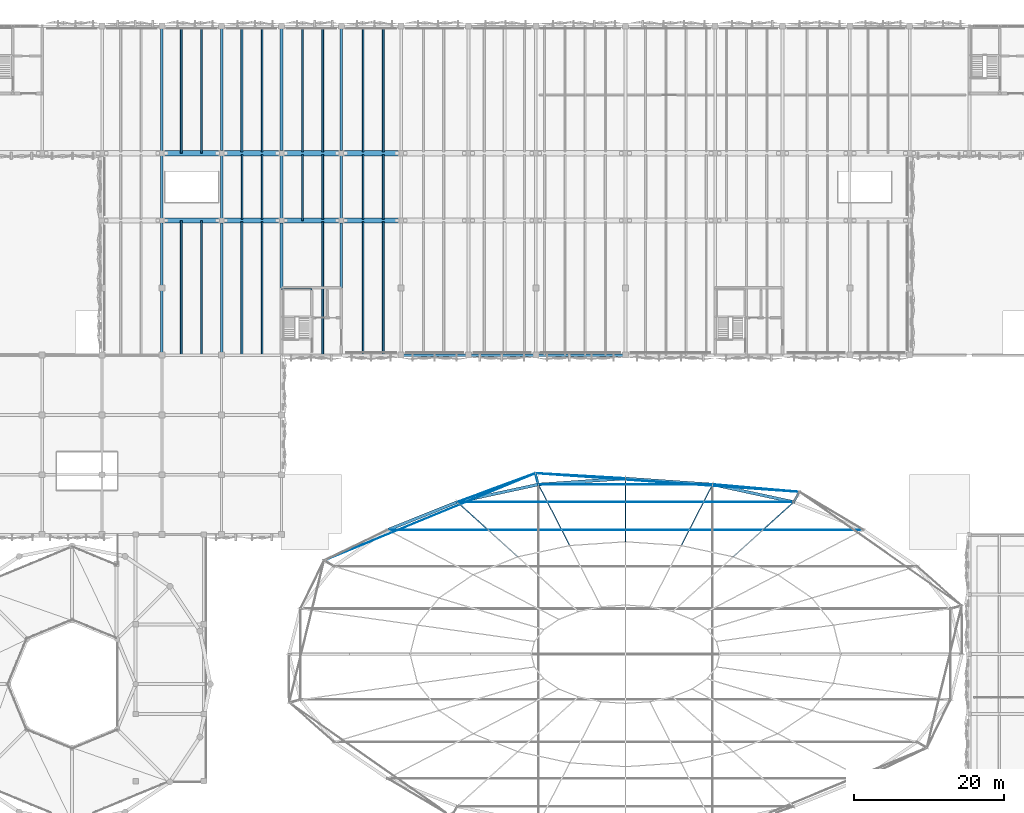
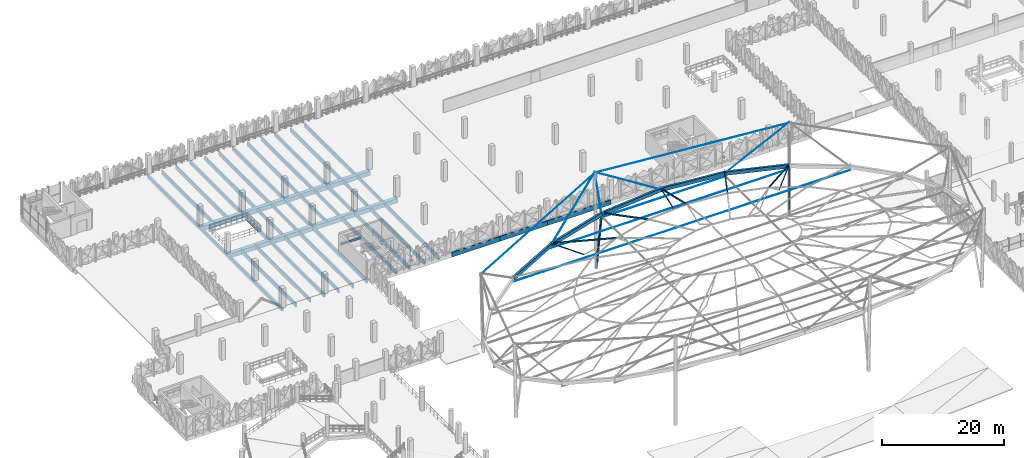
# One storey, part 16 of 96: 55 beams, 15 members.
"""IFC4 building model written with IfcOpenShell, lengths in metres."""

from ifc_helpers import new_model, si_unit, derived_unit, direction, frame, origin, origin_2d, place, context, subcontext, project, spatial, rectangle, hollow_rectangle, circle, i_section, extrude, material, material_profile, profile_set, type_object, element, save


model = new_model("IFC4")

# Units and contexts
model_context = context("Model", 3, precision=1e-05, world=origin(), true_north=direction((0.0, 1.0)))
body_context = subcontext(model_context, "Body", "Model", "MODEL_VIEW")
ifc_project = project(units=[si_unit("LENGTHUNIT", "METRE"), si_unit("AREAUNIT", "SQUARE_METRE"), si_unit("VOLUMEUNIT", "CUBIC_METRE"), si_unit("PLANEANGLEUNIT", "RADIAN"), si_unit("MASSUNIT", "GRAM", prefix="KILO"), si_unit("THERMODYNAMICTEMPERATUREUNIT", "KELVIN"), derived_unit("THERMALTRANSMITTANCEUNIT", [(si_unit("POWERUNIT", "WATT"), 1), (si_unit("AREAUNIT", "SQUARE_METRE"), -1), (si_unit("THERMODYNAMICTEMPERATUREUNIT", "KELVIN"), -1)])], contexts=[model_context])

# Site, building, storey
site_placement = place(None, origin())
site = spatial("IfcSite", under=ifc_project, at=site_placement, CompositionType="ELEMENT")
building_placement = place(site_placement, origin())
building = spatial("IfcBuilding", under=site, at=building_placement, Name="Haiyu Intermodal Mobility Hub", CompositionType="ELEMENT")
storey_placement = place(building_placement, frame((0.0, 0.0, 9.5)))
storey = spatial("IfcBuildingStorey", under=building, at=storey_placement, Name="L02", CompositionType="ELEMENT", Elevation=9.5)

# Beams
ifc_material_1 = material(Name="Concrete C40", Category="concrete")
ifc_material_profile_1 = material_profile(ifc_material_1, rectangle(XDim=0.35009765625, YDim=0.64990234375, at=origin_2d()), Name="RCB350x650")
ifc_profile_set_1 = profile_set([ifc_material_profile_1], Name="Concrete C40")
beam_type_1 = type_object("IfcBeamType", Name="BM-CB04", PredefinedType="BEAM", material=ifc_profile_set_1)
beam_1_placement = place(storey_placement, frame((46.0, 104.0, -0.60009765625), z_axis=(0.0, 1.0, 0.0), x_axis=(-1.0, 0.0, 0.0)))
element("IfcBeam", 1, at=beam_1_placement, inside=storey, type_object=beam_type_1, Name="BM-V4E-L02-006", PredefinedType="BEAM", context=body_context, shape_type="SweptSolid", body=[
    extrude(rectangle(XDim=0.35009765625, YDim=0.64990234375, at=origin_2d()), origin(), (0.0, 0.0, 1.0), 18.0),
])
beam_2_placement = place(storey_placement, frame((46.0, 122.0, -0.60009765625), z_axis=(0.0, 1.0, 0.0), x_axis=(-1.0, 0.0, 0.0)))
element("IfcBeam", 2, at=beam_2_placement, inside=storey, type_object=beam_type_1, Name="BM-V4E-L02-007", PredefinedType="BEAM", context=body_context, shape_type="SweptSolid", body=[
    extrude(rectangle(XDim=0.35009765625, YDim=0.64990234375, at=origin_2d()), origin(), (0.0, 0.0, 1.0), 9.0),
])
beam_3_placement = place(storey_placement, frame((46.0, 131.0, -0.60009765625), z_axis=(0.0, 1.0, 0.0), x_axis=(-1.0, 0.0, 0.0)))
element("IfcBeam", 3, at=beam_3_placement, inside=storey, type_object=beam_type_1, Name="BM-V4E-L02-008", PredefinedType="BEAM", context=body_context, shape_type="SweptSolid", body=[
    extrude(rectangle(XDim=0.35009765625, YDim=0.64990234375, at=origin_2d()), origin(), (0.0, 0.0, 1.0), 17.0),
])
beam_4_placement = place(storey_placement, frame((54.0, 104.0, -0.60009765625), z_axis=(0.0, 1.0, 0.0), x_axis=(-1.0, 0.0, 0.0)))
element("IfcBeam", 4, at=beam_4_placement, inside=storey, type_object=beam_type_1, Name="BM-V4E-L02-009", PredefinedType="BEAM", context=body_context, shape_type="SweptSolid", body=[
    extrude(rectangle(XDim=0.35009765625, YDim=0.64990234375, at=origin_2d()), origin(), (0.0, 0.0, 1.0), 18.0),
])
beam_5_placement = place(storey_placement, frame((54.0, 122.0, -0.60009765625), z_axis=(0.0, 1.0, 0.0), x_axis=(-1.0, 0.0, 0.0)))
element("IfcBeam", 5, at=beam_5_placement, inside=storey, type_object=beam_type_1, Name="BM-V4E-L02-010", PredefinedType="BEAM", context=body_context, shape_type="SweptSolid", body=[
    extrude(rectangle(XDim=0.35009765625, YDim=0.64990234375, at=origin_2d()), origin(), (0.0, 0.0, 1.0), 9.0),
])
beam_6_placement = place(storey_placement, frame((54.0, 131.0, -0.60009765625), z_axis=(0.0, 1.0, 0.0), x_axis=(-1.0, 0.0, 0.0)))
element("IfcBeam", 6, at=beam_6_placement, inside=storey, type_object=beam_type_1, Name="BM-V4E-L02-011", PredefinedType="BEAM", context=body_context, shape_type="SweptSolid", body=[
    extrude(rectangle(XDim=0.35009765625, YDim=0.64990234375, at=origin_2d()), origin(), (0.0, 0.0, 1.0), 17.0),
])
beam_7_placement = place(storey_placement, frame((62.0, 104.0, -0.60009765625), z_axis=(0.0, 1.0, 0.0), x_axis=(-1.0, 0.0, 0.0)))
element("IfcBeam", 7, at=beam_7_placement, inside=storey, type_object=beam_type_1, Name="BM-V4E-L02-012", PredefinedType="BEAM", context=body_context, shape_type="SweptSolid", body=[
    extrude(rectangle(XDim=0.35009765625, YDim=0.64990234375, at=origin_2d()), origin(), (0.0, 0.0, 1.0), 18.0),
])
beam_8_placement = place(storey_placement, frame((62.0, 122.0, -0.60009765625), z_axis=(0.0, 1.0, 0.0), x_axis=(-1.0, 0.0, 0.0)))
element("IfcBeam", 8, at=beam_8_placement, inside=storey, type_object=beam_type_1, Name="BM-V4E-L02-013", PredefinedType="BEAM", context=body_context, shape_type="SweptSolid", body=[
    extrude(rectangle(XDim=0.35009765625, YDim=0.64990234375, at=origin_2d()), origin(), (0.0, 0.0, 1.0), 9.0),
])
beam_9_placement = place(storey_placement, frame((62.0, 131.0, -0.60009765625), z_axis=(0.0, 1.0, 0.0), x_axis=(-1.0, 0.0, 0.0)))
element("IfcBeam", 9, at=beam_9_placement, inside=storey, type_object=beam_type_1, Name="BM-V4E-L02-014", PredefinedType="BEAM", context=body_context, shape_type="SweptSolid", body=[
    extrude(rectangle(XDim=0.35009765625, YDim=0.64990234375, at=origin_2d()), origin(), (0.0, 0.0, 1.0), 17.0),
])
beam_10_placement = place(storey_placement, frame((70.0, 104.0, -0.60009765625), z_axis=(0.0, 1.0, 0.0), x_axis=(-1.0, 0.0, 0.0)))
element("IfcBeam", 10, at=beam_10_placement, inside=storey, type_object=beam_type_1, Name="BM-V4E-L02-015", PredefinedType="BEAM", context=body_context, shape_type="SweptSolid", body=[
    extrude(rectangle(XDim=0.35009765625, YDim=0.64990234375, at=origin_2d()), origin(), (0.0, 0.0, 1.0), 18.0),
])
beam_11_placement = place(storey_placement, frame((70.0, 122.0, -0.60009765625), z_axis=(0.0, 1.0, 0.0), x_axis=(-1.0, 0.0, 0.0)))
element("IfcBeam", 11, at=beam_11_placement, inside=storey, type_object=beam_type_1, Name="BM-V4E-L02-016", PredefinedType="BEAM", context=body_context, shape_type="SweptSolid", body=[
    extrude(rectangle(XDim=0.35009765625, YDim=0.64990234375, at=origin_2d()), origin(), (0.0, 0.0, 1.0), 9.0),
])
beam_12_placement = place(storey_placement, frame((70.0, 131.0, -0.60009765625), z_axis=(0.0, 1.0, 0.0), x_axis=(-1.0, 0.0, 0.0)))
element("IfcBeam", 12, at=beam_12_placement, inside=storey, type_object=beam_type_1, Name="BM-V4E-L02-017", PredefinedType="BEAM", context=body_context, shape_type="SweptSolid", body=[
    extrude(rectangle(XDim=0.35009765625, YDim=0.64990234375, at=origin_2d()), origin(), (0.0, 0.0, 1.0), 17.0),
])
ifc_material_2 = material(Name="Precast concrete C50", Category="concrete")
ifc_material_profile_2 = material_profile(ifc_material_2, rectangle(XDim=0.239990234375, YDim=0.780029296875, at=origin_2d()), Name="PC240x780")
ifc_profile_set_2 = profile_set([ifc_material_profile_2], Name="Precast concrete C50")
beam_type_2 = type_object("IfcBeamType", Name="BM-DT01", PredefinedType="JOIST", material=ifc_profile_set_2)
beam_13_placement = place(storey_placement, frame((48.60009765625, 104.0, -0.6650390625), z_axis=(0.0, 1.0, 0.0), x_axis=(-1.0, 0.0, 0.0)))
element("IfcBeam", 13, at=beam_13_placement, inside=storey, type_object=beam_type_2, Name="BM-DT-L02-007", PredefinedType="JOIST", context=body_context, shape_type="SweptSolid", body=[
    extrude(rectangle(XDim=0.239990234375, YDim=0.780029296875, at=origin_2d()), origin(), (0.0, 0.0, 1.0), 18.0),
])
beam_14_placement = place(storey_placement, frame((48.60009765625, 131.0, -0.6650390625), z_axis=(0.0, 1.0, 0.0), x_axis=(-1.0, 0.0, 0.0)))
element("IfcBeam", 14, at=beam_14_placement, inside=storey, type_object=beam_type_2, Name="BM-DT-L02-008", PredefinedType="JOIST", context=body_context, shape_type="SweptSolid", body=[
    extrude(rectangle(XDim=0.239990234375, YDim=0.780029296875, at=origin_2d()), origin(), (0.0, 0.0, 1.0), 17.0),
])
beam_15_placement = place(storey_placement, frame((51.300048828125, 104.0, -0.6650390625), z_axis=(0.0, 1.0, 0.0), x_axis=(-1.0, 0.0, 0.0)))
element("IfcBeam", 15, at=beam_15_placement, inside=storey, type_object=beam_type_2, Name="BM-DT-L02-009", PredefinedType="JOIST", context=body_context, shape_type="SweptSolid", body=[
    extrude(rectangle(XDim=0.239990234375, YDim=0.780029296875, at=origin_2d()), origin(), (0.0, 0.0, 1.0), 18.0),
])
beam_16_placement = place(storey_placement, frame((51.300048828125, 131.0, -0.6650390625), z_axis=(0.0, 1.0, 0.0), x_axis=(-1.0, 0.0, 0.0)))
element("IfcBeam", 16, at=beam_16_placement, inside=storey, type_object=beam_type_2, Name="BM-DT-L02-010", PredefinedType="JOIST", context=body_context, shape_type="SweptSolid", body=[
    extrude(rectangle(XDim=0.239990234375, YDim=0.780029296875, at=origin_2d()), origin(), (0.0, 0.0, 1.0), 17.0),
])
beam_17_placement = place(storey_placement, frame((56.699951171875, 104.0, -0.6650390625), z_axis=(0.0, 1.0, 0.0), x_axis=(-1.0, 0.0, 0.0)))
element("IfcBeam", 17, at=beam_17_placement, inside=storey, type_object=beam_type_2, Name="BM-DT-L02-011", PredefinedType="JOIST", context=body_context, shape_type="SweptSolid", body=[
    extrude(rectangle(XDim=0.239990234375, YDim=0.780029296875, at=origin_2d()), origin(), (0.0, 0.0, 1.0), 17.804931640625),
])
beam_18_placement = place(storey_placement, frame((56.699951171875, 131.195068359375, -0.6650390625), z_axis=(0.0, 1.0, 0.0), x_axis=(-1.0, 0.0, 0.0)))
element("IfcBeam", 18, at=beam_18_placement, inside=storey, type_object=beam_type_2, Name="BM-DT-L02-013", PredefinedType="JOIST", context=body_context, shape_type="SweptSolid", body=[
    extrude(rectangle(XDim=0.239990234375, YDim=0.780029296875, at=origin_2d()), origin(), (0.0, 0.0, 1.0), 16.804931640625),
])
beam_19_placement = place(storey_placement, frame((59.39990234375, 104.0, -0.6650390625), z_axis=(0.0, 1.0, 0.0), x_axis=(-1.0, 0.0, 0.0)))
element("IfcBeam", 19, at=beam_19_placement, inside=storey, type_object=beam_type_2, Name="BM-DT-L02-014", PredefinedType="JOIST", context=body_context, shape_type="SweptSolid", body=[
    extrude(rectangle(XDim=0.239990234375, YDim=0.780029296875, at=origin_2d()), origin(), (0.0, 0.0, 1.0), 17.804931640625),
])
for number, where, z_axis, x_axis, name in (
    (20, (59.39990234375, 131.195068359375, -0.6650390625), (0.0, 1.0, 0.0), (-1.0, 0.0, 0.0), "BM-DT-L02-016"),
    (21, (64.800048828125, 131.195068359375, -0.6650390625), (0.0, 1.0, 0.0), (-1.0, 0.0, 0.0), "BM-DT-L02-019"),
):
    element("IfcBeam", number, at=place(storey_placement, frame(where, z_axis=z_axis, x_axis=x_axis)), inside=storey, type_object=beam_type_2, Name=name, PredefinedType="JOIST", context=body_context, shape_type="SweptSolid", body=[
        extrude(rectangle(XDim=0.239990234375, YDim=0.780029296875, at=origin_2d()), origin(), (0.0, 0.0, 1.0), 16.804931640625),
    ])
beam_20_placement = place(storey_placement, frame((67.5, 104.0, -0.6650390625), z_axis=(0.0, 1.0, 0.0), x_axis=(-1.0, 0.0, 0.0)))
element("IfcBeam", 22, at=beam_20_placement, inside=storey, type_object=beam_type_2, Name="BM-DT-L02-020", PredefinedType="JOIST", context=body_context, shape_type="SweptSolid", body=[
    extrude(rectangle(XDim=0.239990234375, YDim=0.780029296875, at=origin_2d()), origin(), (0.0, 0.0, 1.0), 17.804931640625),
])
beam_21_placement = place(storey_placement, frame((67.5, 131.195068359375, -0.6650390625), z_axis=(0.0, 1.0, 0.0), x_axis=(-1.0, 0.0, 0.0)))
element("IfcBeam", 23, at=beam_21_placement, inside=storey, type_object=beam_type_2, Name="BM-DT-L02-022", PredefinedType="JOIST", context=body_context, shape_type="SweptSolid", body=[
    extrude(rectangle(XDim=0.239990234375, YDim=0.780029296875, at=origin_2d()), origin(), (0.0, 0.0, 1.0), 16.804931640625),
])
beam_22_placement = place(storey_placement, frame((72.89990234375, 104.0, -0.6650390625), z_axis=(0.0, 1.0, 0.0), x_axis=(-1.0, 0.0, 0.0)))
element("IfcBeam", 24, at=beam_22_placement, inside=storey, type_object=beam_type_2, Name="BM-DT-L02-023", PredefinedType="JOIST", context=body_context, shape_type="SweptSolid", body=[
    extrude(rectangle(XDim=0.239990234375, YDim=0.780029296875, at=origin_2d()), origin(), (0.0, 0.0, 1.0), 17.804931640625),
])
beam_23_placement = place(storey_placement, frame((72.89990234375, 131.195068359375, -0.6650390625), z_axis=(0.0, 1.0, 0.0), x_axis=(-1.0, 0.0, 0.0)))
element("IfcBeam", 25, at=beam_23_placement, inside=storey, type_object=beam_type_2, Name="BM-DT-L02-025", PredefinedType="JOIST", context=body_context, shape_type="SweptSolid", body=[
    extrude(rectangle(XDim=0.239990234375, YDim=0.780029296875, at=origin_2d()), origin(), (0.0, 0.0, 1.0), 16.804931640625),
])
beam_24_placement = place(storey_placement, frame((75.60009765625, 104.0, -0.6650390625), z_axis=(0.0, 1.0, 0.0), x_axis=(-1.0, 0.0, 0.0)))
element("IfcBeam", 26, at=beam_24_placement, inside=storey, type_object=beam_type_2, Name="BM-DT-L02-026", PredefinedType="JOIST", context=body_context, shape_type="SweptSolid", body=[
    extrude(rectangle(XDim=0.239990234375, YDim=0.780029296875, at=origin_2d()), origin(), (0.0, 0.0, 1.0), 17.804931640625),
])
beam_25_placement = place(storey_placement, frame((75.60009765625, 131.195068359375, -0.6650390625), z_axis=(0.0, 1.0, 0.0), x_axis=(-1.0, 0.0, 0.0)))
element("IfcBeam", 27, at=beam_25_placement, inside=storey, type_object=beam_type_2, Name="BM-DT-L02-028", PredefinedType="JOIST", context=body_context, shape_type="SweptSolid", body=[
    extrude(rectangle(XDim=0.239990234375, YDim=0.780029296875, at=origin_2d()), origin(), (0.0, 0.0, 1.0), 16.804931640625),
])
ifc_material_profile_3 = material_profile(ifc_material_2, rectangle(XDim=0.22998046875, YDim=0.68994140625, at=origin_2d()), Name="B230x690")
ifc_profile_set_3 = profile_set([ifc_material_profile_3], Name="Precast concrete C50")
beam_type_3 = type_object("IfcBeamType", Name="BM-DT06", PredefinedType="JOIST", material=ifc_profile_set_3)
for number, where, z_axis, x_axis, name in (
    (28, (56.699951171875, 122.195068359375, -0.6201171875), (0.0, 1.0, 0.0), (-1.0, 0.0, 0.0), "BM-DT-L02-012"),
    (29, (59.39990234375, 122.195068359375, -0.6201171875), (0.0, 1.0, 0.0), (-1.0, 0.0, 0.0), "BM-DT-L02-015"),
):
    element("IfcBeam", number, at=place(storey_placement, frame(where, z_axis=z_axis, x_axis=x_axis)), inside=storey, type_object=beam_type_3, Name=name, PredefinedType="JOIST", context=body_context, shape_type="SweptSolid", body=[
        extrude(rectangle(XDim=0.22998046875, YDim=0.68994140625, at=origin_2d()), origin(), (0.0, 0.0, 1.0), 8.60986328125),
    ])
beam_26_placement = place(storey_placement, frame((64.800048828125, 122.0, -0.6201171875), z_axis=(0.0, 1.0, 0.0), x_axis=(-1.0, 0.0, 0.0)))
element("IfcBeam", 30, at=beam_26_placement, inside=storey, type_object=beam_type_3, Name="BM-DT-L02-018", PredefinedType="JOIST", context=body_context, shape_type="SweptSolid", body=[
    extrude(rectangle(XDim=0.22998046875, YDim=0.68994140625, at=origin_2d()), origin(), (0.0, 0.0, 1.0), 8.804931640625),
])
for number, where, z_axis, x_axis, name in (
    (31, (67.5, 122.195068359375, -0.6201171875), (0.0, 1.0, 0.0), (-1.0, 0.0, 0.0), "BM-DT-L02-021"),
    (32, (72.89990234375, 122.195068359375, -0.6201171875), (0.0, 1.0, 0.0), (-1.0, 0.0, 0.0), "BM-DT-L02-024"),
    (33, (75.60009765625, 122.195068359375, -0.6201171875), (0.0, 1.0, 0.0), (-1.0, 0.0, 0.0), "BM-DT-L02-027"),
):
    element("IfcBeam", number, at=place(storey_placement, frame(where, z_axis=z_axis, x_axis=x_axis)), inside=storey, type_object=beam_type_3, Name=name, PredefinedType="JOIST", context=body_context, shape_type="SweptSolid", body=[
        extrude(rectangle(XDim=0.22998046875, YDim=0.68994140625, at=origin_2d()), origin(), (0.0, 0.0, 1.0), 8.60986328125),
    ])
ifc_material_profile_4 = material_profile(ifc_material_2, rectangle(XDim=0.719970703125, YDim=0.8798828125, at=origin_2d()), Name="B720x880")
ifc_profile_set_4 = profile_set([ifc_material_profile_4], Name="Precast concrete C50")
beam_type_4 = type_object("IfcBeamType", Name="BM-IT04", PredefinedType="T_BEAM", material=ifc_profile_set_4)
for number, where, z_axis, x_axis, name in (
    (34, (46.0, 122.0, -0.715087890625), (1.0, 0.0, 0.0), (0.0, 1.0, 0.0), "BM-V4G-L02-014"),
    (35, (54.0, 122.0, -0.715087890625), (1.0, 0.0, 0.0), (0.0, 1.0, 0.0), "BM-V4G-L02-015"),
    (36, (62.0, 122.0, -0.715087890625), (1.0, 0.0, 0.0), (0.0, 1.0, 0.0), "BM-V4G-L02-016"),
    (37, (70.0, 122.0, -0.715087890625), (1.0, 0.0, 0.0), (0.0, 1.0, 0.0), "BM-V4G-L02-017"),
    (38, (46.0, 131.0, -0.715087890625), (1.0, 0.0, 0.0), (0.0, 1.0, 0.0), "BM-V4G-L02-028"),
    (39, (54.0, 131.0, -0.715087890625), (1.0, 0.0, 0.0), (0.0, 1.0, 0.0), "BM-V4G-L02-029"),
    (40, (62.0, 131.0, -0.715087890625), (1.0, 0.0, 0.0), (0.0, 1.0, 0.0), "BM-V4G-L02-030"),
    (41, (70.0, 131.0, -0.715087890625), (1.0, 0.0, 0.0), (0.0, 1.0, 0.0), "BM-V4G-L02-031"),
):
    element("IfcBeam", number, at=place(storey_placement, frame(where, z_axis=z_axis, x_axis=x_axis)), inside=storey, type_object=beam_type_4, Name=name, PredefinedType="T_BEAM", context=body_context, shape_type="SweptSolid", body=[
        extrude(rectangle(XDim=0.719970703125, YDim=0.8798828125, at=origin_2d()), origin(), (0.0, 0.0, 1.0), 8.0),
    ])
ifc_material_3 = material(Name="Steel Q355C", Category="steel")
ifc_material_profile_5 = material_profile(ifc_material_3, hollow_rectangle(XDim=0.39990234375, YDim=0.699951171875, WallThickness=0.02197265625, at=origin_2d()), Name="RHS700x400x22")
ifc_profile_set_5 = profile_set([ifc_material_profile_5], Name="Steel Q355C")
beam_type_5 = type_object("IfcBeamType", Name="BM-SB01", PredefinedType="BEAM", material=ifc_profile_set_5)
beam_27_placement = place(storey_placement, frame((130.5, 84.35205078125, 10.5), z_axis=(-0.974367369178, 0.210703053042, 0.07881911773), x_axis=(-0.211360609854, -0.977408150468, 0.0)))
element("IfcBeam", 42, at=beam_27_placement, inside=storey, type_object=beam_type_5, Name="Compression Ring Chord RB-05", PredefinedType="BEAM", context=body_context, shape_type="SweptSolid", body=[
    extrude(hollow_rectangle(XDim=0.39990234375, YDim=0.699951171875, WallThickness=0.02197265625, at=origin_2d()), origin(), (0.0, 0.0, 1.0), 11.138427734375),
])
for number, where, z_axis, x_axis, name in (
    (43, (119.64697265625, 86.698974609375, 11.3779296875), (-0.997264020391, 0.068587247954, 0.027572868044), (-0.068613335005, -0.997643328179, 0.0), "Compression Ring Chord RB-06"),
    (44, (108.0, 87.5, 11.699951171875), (-0.997264020391, -0.068587247954, -0.027572868044), (0.068613335005, -0.997643328179, 0.0), "Compression Ring Chord RB-07"),
):
    element("IfcBeam", number, at=place(storey_placement, frame(where, z_axis=z_axis, x_axis=x_axis)), inside=storey, type_object=beam_type_5, Name=name, PredefinedType="BEAM", context=body_context, shape_type="SweptSolid", body=[
        extrude(hollow_rectangle(XDim=0.39990234375, YDim=0.699951171875, WallThickness=0.02197265625, at=origin_2d()), origin(), (0.0, 0.0, 1.0), 11.678955078125),
    ])
beam_28_placement = place(storey_placement, frame((96.35302734375, 86.698974609375, 11.3779296875), z_axis=(-0.974367369178, -0.210703053042, -0.07881911773), x_axis=(0.211360609854, -0.977408150468, 0.0)))
element("IfcBeam", 45, at=beam_28_placement, inside=storey, type_object=beam_type_5, Name="Compression Ring Chord RB-08", PredefinedType="BEAM", context=body_context, shape_type="SweptSolid", body=[
    extrude(hollow_rectangle(XDim=0.39990234375, YDim=0.699951171875, WallThickness=0.02197265625, at=origin_2d()), origin(), (0.0, 0.0, 1.0), 11.138427734375),
])
beam_29_placement = place(storey_placement, frame((85.5, 84.35205078125, 10.5), z_axis=(-0.921674779261, -0.369370070672, -0.118664873348), x_axis=(0.371998477137, -0.928233339742, 0.0)))
element("IfcBeam", 46, at=beam_29_placement, inside=storey, type_object=beam_type_5, Name="Compression Ring Chord RB-09", PredefinedType="BEAM", context=body_context, shape_type="SweptSolid", body=[
    extrude(hollow_rectangle(XDim=0.39990234375, YDim=0.699951171875, WallThickness=0.02197265625, at=origin_2d()), origin(), (0.0, 0.0, 1.0), 10.112060546875),
])
ifc_material_profile_6 = material_profile(ifc_material_3, i_section(OverallWidth=0.199951171875, OverallDepth=0.39990234375, WebThickness=0.008056640625, FlangeThickness=0.012939453125, FilletRadius=0.01611328125, at=origin_2d()), Name="HN400x200x8x13")
ifc_profile_set_6 = profile_set([ifc_material_profile_6], Name="Steel Q355C")
beam_type_6 = type_object("IfcBeamType", Name="BM-SB08", PredefinedType="JOIST", material=ifc_profile_set_6)
beam_30_placement = place(storey_placement, frame((62.0, 112.780029296875, 1.52490234375), z_axis=(1.0, 0.0, 0.0), x_axis=(0.0, 1.0, 0.0)))
element("IfcBeam", 47, at=beam_30_placement, inside=storey, type_object=beam_type_6, Name="Stair Half-Landing Rear Beam C5-L02", PredefinedType="JOIST", context=body_context, shape_type="SweptSolid", body=[
    extrude(i_section(OverallWidth=0.199951171875, OverallDepth=0.39990234375, WebThickness=0.008056640625, FlangeThickness=0.012939453125, FilletRadius=0.01611328125, at=origin_2d()), origin(), (0.0, 0.0, 1.0), 4.050048828125),
])
ifc_material_profile_7 = material_profile(ifc_material_3, i_section(OverallWidth=0.14990234375, OverallDepth=0.300048828125, WebThickness=0.006591796875, FlangeThickness=0.009033203125, FilletRadius=0.012939453125, at=origin_2d()), Name="HN300x150x6.5x9")
ifc_profile_set_7 = profile_set([ifc_material_profile_7], Name="Steel Q355C")
beam_type_7 = type_object("IfcBeamType", Name="BM-SB10-INT", PredefinedType="JOIST", material=ifc_profile_set_7)
beam_31_placement = place(storey_placement, frame((130.5, 84.35205078125, 10.738037109375), z_axis=(-0.720148182676, -0.651428273509, 0.238804940195), x_axis=(0.67083723343, -0.741604615846, 0.0)))
element("IfcBeam", 48, at=beam_31_placement, inside=storey, type_object=beam_type_7, Name="BM-SADRAD-057", PredefinedType="JOIST", context=body_context, shape_type="SweptSolid", body=[
    extrude(i_section(OverallWidth=0.14990234375, OverallDepth=0.300048828125, WebThickness=0.006591796875, FlangeThickness=0.009033203125, FilletRadius=0.012939453125, at=origin_2d()), origin(), (0.0, 0.0, 1.0), 11.247802734375),
])
beam_32_placement = place(storey_placement, frame((119.64697265625, 86.698974609375, 11.616943359375), z_axis=(-0.44434459281, -0.865920858983, 0.229649621858), x_axis=(0.889699529846, -0.45654654373, 0.0)))
element("IfcBeam", 49, at=beam_32_placement, inside=storey, type_object=beam_type_7, Name="BM-SADRAD-059", PredefinedType="JOIST", context=body_context, shape_type="SweptSolid", body=[
    extrude(i_section(OverallWidth=0.14990234375, OverallDepth=0.300048828125, WebThickness=0.006591796875, FlangeThickness=0.009033203125, FilletRadius=0.012939453125, at=origin_2d()), origin(), (0.0, 0.0, 1.0), 9.43603515625),
])
beam_33_placement = place(storey_placement, frame((108.0, 87.5, 11.93798828125), z_axis=(0.0, -0.973738301939, 0.227670198612), x_axis=(1.0, 0.0, 0.0)))
element("IfcBeam", 50, at=beam_33_placement, inside=storey, type_object=beam_type_7, Name="BM-SADRAD-061", PredefinedType="JOIST", context=body_context, shape_type="SweptSolid", body=[
    extrude(i_section(OverallWidth=0.14990234375, OverallDepth=0.300048828125, WebThickness=0.006591796875, FlangeThickness=0.009033203125, FilletRadius=0.012939453125, at=origin_2d()), origin(), (0.0, 0.0, 1.0), 8.688232421875),
])
beam_34_placement = place(storey_placement, frame((96.35302734375, 86.698974609375, 11.616943359375), z_axis=(0.44434459281, -0.865920858983, 0.229649621858), x_axis=(0.889699529846, 0.45654654373, 0.0)))
element("IfcBeam", 51, at=beam_34_placement, inside=storey, type_object=beam_type_7, Name="BM-SADRAD-063", PredefinedType="JOIST", context=body_context, shape_type="SweptSolid", body=[
    extrude(i_section(OverallWidth=0.14990234375, OverallDepth=0.300048828125, WebThickness=0.006591796875, FlangeThickness=0.009033203125, FilletRadius=0.012939453125, at=origin_2d()), origin(), (0.0, 0.0, 1.0), 9.43603515625),
])
beam_35_placement = place(storey_placement, frame((85.5, 84.35205078125, 10.738037109375), z_axis=(0.720148182676, -0.651428273509, 0.238804940195), x_axis=(0.67083723343, 0.741604615846, 0.0)))
element("IfcBeam", 52, at=beam_35_placement, inside=storey, type_object=beam_type_7, Name="BM-SADRAD-065", PredefinedType="JOIST", context=body_context, shape_type="SweptSolid", body=[
    extrude(i_section(OverallWidth=0.14990234375, OverallDepth=0.300048828125, WebThickness=0.006591796875, FlangeThickness=0.009033203125, FilletRadius=0.012939453125, at=origin_2d()), origin(), (0.0, 0.0, 1.0), 11.247802734375),
])
ifc_material_4 = material(Name="Precast concrete C40", Category="concrete")
ifc_material_profile_8 = material_profile(ifc_material_4, rectangle(XDim=0.35009765625, YDim=0.949951171875, at=origin_2d()), Name="PC350x950")
ifc_profile_set_8 = profile_set([ifc_material_profile_8], Name="Precast concrete C40")
beam_type_8 = type_object("IfcBeamType", Name="BM-SP01", PredefinedType="SPANDREL", material=ifc_profile_set_8)
for number, where, z_axis, x_axis, name in (
    (53, (78.0, 104.0, -0.75), (1.0, 0.0, 0.0), (0.0, 1.0, 0.0), "BM-V4G-L02-006"),
    (54, (87.0, 104.0, -0.75), (1.0, 0.0, 0.0), (0.0, 1.0, 0.0), "BM-V4G-L02-007"),
):
    element("IfcBeam", number, at=place(storey_placement, frame(where, z_axis=z_axis, x_axis=x_axis)), inside=storey, type_object=beam_type_8, Name=name, PredefinedType="SPANDREL", context=body_context, shape_type="SweptSolid", body=[
        extrude(rectangle(XDim=0.35009765625, YDim=0.949951171875, at=origin_2d()), origin(), (0.0, 0.0, 1.0), 9.0),
    ])
beam_36_placement = place(storey_placement, frame((96.0, 104.0, -0.75), z_axis=(1.0, 0.0, 0.0), x_axis=(0.0, 1.0, 0.0)))
element("IfcBeam", 55, at=beam_36_placement, inside=storey, type_object=beam_type_8, Name="BM-V4G-L02-008", PredefinedType="SPANDREL", context=body_context, shape_type="SweptSolid", body=[
    extrude(rectangle(XDim=0.35009765625, YDim=0.949951171875, at=origin_2d()), origin(), (0.0, 0.0, 1.0), 12.0),
])

# Members
ifc_material_profile_9 = material_profile(ifc_material_3, hollow_rectangle(XDim=0.300048828125, YDim=0.300048828125, WallThickness=0.011962890625, at=origin_2d()), Name="SHS300x300x12")
ifc_profile_set_9 = profile_set([ifc_material_profile_9], Name="Steel Q355C")
member_type_1 = type_object("IfcMemberType", Name="MEM-BR04", PredefinedType="BRACE", material=ifc_profile_set_9)
member_1_placement = place(storey_placement, frame((131.10009765625, 85.39111328125, 0.0), z_axis=(-0.05678259498, -0.098318439477, 0.993533704192), x_axis=(0.865955154139, -0.50012165622, 0.0)))
element("IfcMember", 56, at=member_1_placement, inside=storey, type_object=member_type_1, Name="Mast Ring Strut MS-02", PredefinedType="BRACE", context=body_context, shape_type="SweptSolid", body=[
    extrude(hollow_rectangle(XDim=0.300048828125, YDim=0.300048828125, WallThickness=0.011962890625, at=origin_2d()), origin(), (0.0, 0.0, 1.0), 10.568359375),
])
member_2_placement = place(storey_placement, frame((96.04296875, 87.85791015625, 0.0), z_axis=(0.027100647651, -0.101296672754, 0.994487073313), x_axis=(0.966025207369, 0.258447864622, 0.0)))
element("IfcMember", 57, at=member_2_placement, inside=storey, type_object=member_type_1, Name="Mast Ring Strut MS-03", PredefinedType="BRACE", context=body_context, shape_type="SweptSolid", body=[
    extrude(hollow_rectangle(XDim=0.300048828125, YDim=0.300048828125, WallThickness=0.011962890625, at=origin_2d()), origin(), (0.0, 0.0, 1.0), 11.44091796875),
])
ifc_material_profile_10 = material_profile(ifc_material_3, hollow_rectangle(XDim=0.159912109375, YDim=0.159912109375, WallThickness=0.006103515625, at=origin_2d()), Name="SHS160x160x6")
ifc_profile_set_10 = profile_set([ifc_material_profile_10], Name="Steel Q355C")
member_type_2 = type_object("IfcMemberType", Name="MEM-CH03", PredefinedType="CHORD", material=ifc_profile_set_10)
member_3_placement = place(storey_placement, frame((130.5, 84.35205078125, 10.738037109375), z_axis=(-0.716731786771, -0.648424296574, -0.256595941988), x_axis=(0.670886402047, -0.741560136165, 0.0)))
element("IfcMember", 58, at=member_3_placement, inside=storey, type_object=member_type_2, Name="MEM-SADD1-057", PredefinedType="CHORD", context=body_context, shape_type="SweptSolid", body=[
    extrude(hollow_rectangle(XDim=0.159912109375, YDim=0.159912109375, WallThickness=0.006103515625, at=origin_2d()), origin(), (0.0, 0.0, 1.0), 5.650634765625),
])
member_4_placement = place(storey_placement, frame((108.0, 87.5, 11.93798828125), z_axis=(0.0, -0.945968437013, -0.324258717963), x_axis=(1.0, 0.0, 0.0)))
element("IfcMember", 59, at=member_4_placement, inside=storey, type_object=member_type_2, Name="MEM-SADD1-061", PredefinedType="CHORD", context=body_context, shape_type="SweptSolid", body=[
    extrude(hollow_rectangle(XDim=0.159912109375, YDim=0.159912109375, WallThickness=0.006103515625, at=origin_2d()), origin(), (0.0, 0.0, 1.0), 4.4716796875),
])
member_5_placement = place(storey_placement, frame((108.0, 83.27001953125, 10.488037109375), z_axis=(0.0, -0.776911649942, 0.629609631585), x_axis=(1.0, 0.0, 0.0)))
element("IfcMember", 60, at=member_5_placement, inside=storey, type_object=member_type_2, Name="MEM-SADD2-061", PredefinedType="CHORD", context=body_context, shape_type="SweptSolid", body=[
    extrude(hollow_rectangle(XDim=0.159912109375, YDim=0.159912109375, WallThickness=0.006103515625, at=origin_2d()), origin(), (0.0, 0.0, 1.0), 5.444580078125),
])
member_6_placement = place(storey_placement, frame((85.5, 84.35205078125, 10.738037109375), z_axis=(0.716731786771, -0.648424296574, -0.256595941988), x_axis=(0.670886402047, 0.741560136165, 0.0)))
element("IfcMember", 61, at=member_6_placement, inside=storey, type_object=member_type_2, Name="MEM-SADD1-065", PredefinedType="CHORD", context=body_context, shape_type="SweptSolid", body=[
    extrude(hollow_rectangle(XDim=0.159912109375, YDim=0.159912109375, WallThickness=0.006103515625, at=origin_2d()), origin(), (0.0, 0.0, 1.0), 5.650634765625),
])
ifc_material_5 = material(Name="Galvanized steel cable 1670 MPa", Category="steel")
ifc_material_profile_11 = material_profile(ifc_material_5, circle(Radius=0.0400390625, at=origin_2d()), Name="CABLE80")
ifc_profile_set_11 = profile_set([ifc_material_profile_11], Name="Galvanized steel cable 1670 MPa")
member_type_3 = type_object("IfcMemberType", Name="MEM-TC02", PredefinedType="USERDEFINED", material=ifc_profile_set_11)
member_7_placement = place(storey_placement, frame((76.179931640625, 80.616943359375, 8.6201171875), z_axis=(1.0, 0.0, 0.0), x_axis=(0.0, 1.0, 0.0)))
element("IfcMember", 62, at=member_7_placement, inside=storey, type_object=member_type_3, Name="Cable-Net Tendon CB-EW-007", ObjectType="TENSION CABLE", PredefinedType="USERDEFINED", context=body_context, shape_type="SweptSolid", body=[
    extrude(circle(Radius=0.0400390625, at=origin_2d()), origin(), (0.0, 0.0, 1.0), 63.64013671875),
])
member_8_placement = place(storey_placement, frame((85.5, 84.35205078125, 9.820068359375), z_axis=(1.0, 0.0, 0.0), x_axis=(0.0, 1.0, 0.0)))
element("IfcMember", 63, at=member_8_placement, inside=storey, type_object=member_type_3, Name="Cable-Net Tendon CB-EW-008", ObjectType="TENSION CABLE", PredefinedType="USERDEFINED", context=body_context, shape_type="SweptSolid", body=[
    extrude(circle(Radius=0.0400390625, at=origin_2d()), origin(), (0.0, 0.0, 1.0), 45.0),
])
member_9_placement = place(storey_placement, frame((96.35302734375, 86.698974609375, 10.697998046875), z_axis=(1.0, 0.0, 0.0), x_axis=(0.0, 1.0, 0.0)))
element("IfcMember", 64, at=member_9_placement, inside=storey, type_object=member_type_3, Name="Cable-Net Tendon CB-EW-009", ObjectType="TENSION CABLE", PredefinedType="USERDEFINED", context=body_context, shape_type="SweptSolid", body=[
    extrude(circle(Radius=0.0400390625, at=origin_2d()), origin(), (0.0, 0.0, 1.0), 23.2939453125),
])
ifc_material_profile_12 = material_profile(ifc_material_5, circle(Radius=0.032470703125, at=origin_2d()), Name="CABLE65")
ifc_profile_set_12 = profile_set([ifc_material_profile_12], Name="Galvanized steel cable 1670 MPa")
member_type_4 = type_object("IfcMemberType", Name="MEM-TC03", PredefinedType="USERDEFINED", material=ifc_profile_set_12)
member_10_placement = place(storey_placement, frame((131.27490234375, 85.694091796875, 18.10009765625), z_axis=(-0.863329293261, 0.074608704356, -0.499095254066), x_axis=(-0.086098841978, -0.996286600035, 0.0)))
element("IfcMember", 65, at=member_10_placement, inside=storey, type_object=member_type_4, Name="Cable-Net Tendon CB-ST-022", ObjectType="TENSION CABLE", PredefinedType="USERDEFINED", context=body_context, shape_type="SweptSolid", body=[
    extrude(circle(Radius=0.032470703125, at=origin_2d()), origin(), (0.0, 0.0, 1.0), 13.46875),
])
member_11_placement = place(storey_placement, frame((131.27490234375, 85.694091796875, 17.97998046875), z_axis=(-0.997194486721, 0.070631996157, 0.024784607551), x_axis=(-0.070653699953, -0.997500904603, 0.0)))
element("IfcMember", 66, at=member_11_placement, inside=storey, type_object=member_type_4, Name="Cable-Net Tendon CB-RG-023", ObjectType="TENSION CABLE", PredefinedType="USERDEFINED", context=body_context, shape_type="SweptSolid", body=[
    extrude(circle(Radius=0.032470703125, at=origin_2d()), origin(), (0.0, 0.0, 1.0), 35.42236328125),
])
member_12_placement = place(storey_placement, frame((95.951904296875, 88.196044921875, 18.97802734375), z_axis=(0.854901803611, -0.04938955282, -0.51643351775), x_axis=(0.057676023634, 0.998335352623, 0.0)))
element("IfcMember", 67, at=member_12_placement, inside=storey, type_object=member_type_4, Name="Cable-Net Tendon CB-ST-024", ObjectType="TENSION CABLE", PredefinedType="USERDEFINED", context=body_context, shape_type="SweptSolid", body=[
    extrude(circle(Radius=0.032470703125, at=origin_2d()), origin(), (0.0, 0.0, 1.0), 14.093017578125),
])
member_13_placement = place(storey_placement, frame((95.951904296875, 88.196044921875, 18.97802734375), z_axis=(0.051714305285, -0.193007985398, -0.979833428804), x_axis=(0.965928364246, 0.258809573134, 0.0)))
element("IfcMember", 68, at=member_13_placement, inside=storey, type_object=member_type_4, Name="Cable-Net Tendon CB-ST-025", ObjectType="TENSION CABLE", PredefinedType="USERDEFINED", context=body_context, shape_type="SweptSolid", body=[
    extrude(circle(Radius=0.032470703125, at=origin_2d()), origin(), (0.0, 0.0, 1.0), 7.756591796875),
])
member_14_placement = place(storey_placement, frame((95.951904296875, 88.196044921875, 18.97802734375), z_axis=(-0.746763612558, -0.274644205455, -0.605734816045), x_axis=(0.345174984971, -0.938538347512, 0.0)))
element("IfcMember", 69, at=member_14_placement, inside=storey, type_object=member_type_4, Name="Cable-Net Tendon CB-ST-026", ObjectType="TENSION CABLE", PredefinedType="USERDEFINED", context=body_context, shape_type="SweptSolid", body=[
    extrude(circle(Radius=0.032470703125, at=origin_2d()), origin(), (0.0, 0.0, 1.0), 13.996337890625),
])
member_15_placement = place(storey_placement, frame((95.951904296875, 88.196044921875, 18.85791015625), z_axis=(-0.919037035552, -0.379488874648, -0.106579178559), x_axis=(0.381662742278, -0.924301655931, 0.0)))
element("IfcMember", 70, at=member_15_placement, inside=storey, type_object=member_type_4, Name="Cable-Net Tendon CB-RG-027", ObjectType="TENSION CABLE", PredefinedType="USERDEFINED", context=body_context, shape_type="SweptSolid", body=[
    extrude(circle(Radius=0.032470703125, at=origin_2d()), origin(), (0.0, 0.0, 1.0), 30.7548828125),
])

save(model, "model.ifc")
